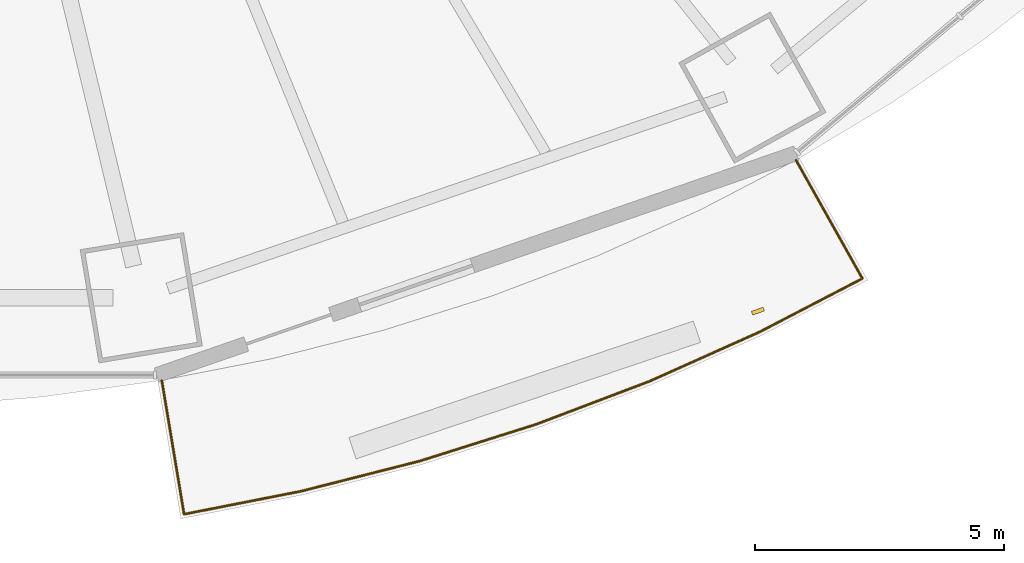
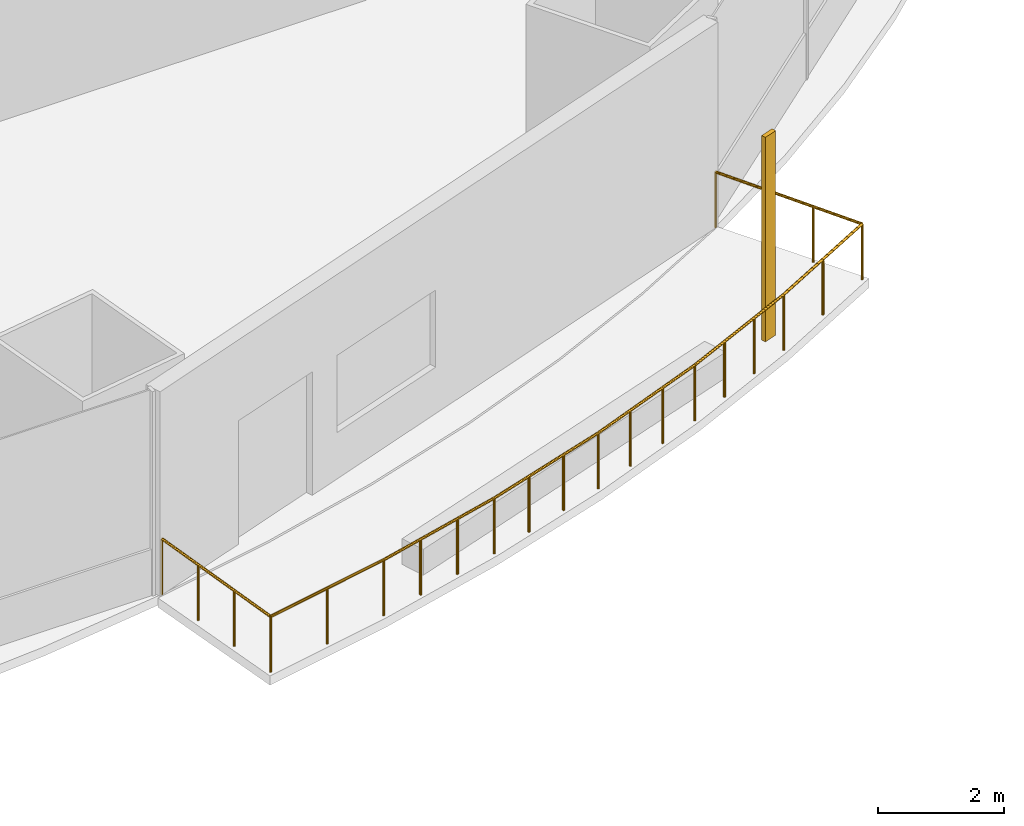
# One storey, part 18 of 22: 1 railing, 1 shading device.
"""IFC4 building model written with IfcOpenShell, lengths in metres."""

from ifc_helpers import new_model, si_unit, direction, frame, origin, origin_2d, place, context, subcontext, project, spatial, rectangle, circle, extrude, material, material_profile, profile_set, type_object, element, save


model = new_model("IFC4")

# Units and contexts
model_context = context("Model", 3, precision=1e-05, world=origin(), true_north=direction((0.0, 1.0)))
body_context = subcontext(model_context, "Body", "Model", "MODEL_VIEW")
ifc_project = project(units=[si_unit("LENGTHUNIT", "METRE"), si_unit("AREAUNIT", "SQUARE_METRE"), si_unit("VOLUMEUNIT", "CUBIC_METRE"), si_unit("PLANEANGLEUNIT", "RADIAN"), si_unit("MASSUNIT", "GRAM", prefix="KILO")], contexts=[model_context])

# Site, building, storey
site_placement = place(None, origin())
site = spatial("IfcSite", under=ifc_project, at=site_placement, CompositionType="ELEMENT")
building_placement = place(site_placement, origin())
building = spatial("IfcBuilding", under=site, at=building_placement, Name="Marenthal Gate Tower", CompositionType="ELEMENT")
storey_placement = place(building_placement, frame((0.0, 0.0, 70.35009765625)))
storey = spatial("IfcBuildingStorey", under=building, at=storey_placement, Name="L13", CompositionType="ELEMENT", Elevation=70.35009765625)

# Railing
ifc_material_1 = material(Name="Stainless steel", Category="steel")
railing_type = type_object("IfcRailingType", Name="Balcony guard 1100", PredefinedType="GUARDRAIL", material=ifc_material_1)
railing_placement = place(storey_placement, frame((19.7490234375, -24.9033203125, 0.0)))
element("IfcRailing", 1, at=railing_placement, inside=storey, type_object=railing_type, Name="Balcony guard L13 bay 13", PredefinedType="GUARDRAIL", context=body_context, shape_type="SweptSolid", body=[
    extrude(circle(Radius=0.02392578125, at=origin_2d()), frame((0.0, 0.0, 1.076171875), z_axis=(0.488916588254, -0.872206373208, -0.014717753391), x_axis=(0.872300853857, 0.488969549523, 0.0)), (0.0, 0.0, 1.0), 2.720458984375),
    extrude(circle(Radius=0.02392578125, at=origin_2d()), frame((1.330078125, -2.372802734375, 1.0361328125), z_axis=(-0.887259903965, -0.461269837314, 0.0), x_axis=(0.461269837314, -0.887259903965, 0.0)), (0.0, 0.0, 1.0), 2.318359375),
    extrude(circle(Radius=0.02392578125, at=origin_2d()), frame((-0.726806640625, -3.442138671875, 1.0361328125), z_axis=(-0.91254444095, -0.408977558419, 0.0), x_axis=(0.408977558419, -0.91254444095, 0.0)), (0.0, 0.0, 1.0), 2.415771484375),
    extrude(circle(Radius=0.02392578125, at=origin_2d()), frame((-2.931396484375, -4.43017578125, 1.0361328125), z_axis=(-0.934822913626, -0.355114235366, 0.0), x_axis=(0.355114235366, -0.934822913626, 0.0)), (0.0, 0.0, 1.0), 2.431640625),
    extrude(circle(Radius=0.02392578125, at=origin_2d()), frame((-5.20458984375, -5.293701171875, 1.0361328125), z_axis=(-0.953650519342, -0.300916411912, 0.0), x_axis=(0.300916411912, -0.953650519342, 0.0)), (0.0, 0.0, 1.0), 2.446044921875),
    extrude(circle(Radius=0.02392578125, at=origin_2d()), frame((-7.537353515625, -6.02978515625, 1.0361328125), z_axis=(-0.969164913017, -0.246413009756, 0.0), x_axis=(0.246413009756, -0.969164913017, 0.0)), (0.0, 0.0, 1.0), 2.4580078125),
    extrude(circle(Radius=0.02392578125, at=origin_2d()), frame((-9.919677734375, -6.635498046875, 1.0361328125), z_axis=(-0.981255035118, -0.192713663388, 0.0), x_axis=(0.192713663388, -0.981255035118, 0.0)), (0.0, 0.0, 1.0), 2.387939453125),
    extrude(circle(Radius=0.02392578125, at=origin_2d()), frame((-12.262939453125, -7.095703125, 1.0361328125), z_axis=(-0.164599482451, 0.986250661205, 0.014718819587), x_axis=(-0.986357511038, -0.164617315064, 0.0)), (0.0, 0.0, 1.0), 2.72021484375),
    extrude(circle(Radius=0.02099609375, at=origin_2d()), origin(), (0.0, 0.0, 1.0), 1.052001953125),
    extrude(circle(Radius=0.02099609375, at=origin_2d()), frame((0.443359375, -0.791015625, -0.013427734375)), (0.0, 0.0, 1.0), 1.052001953125),
    extrude(circle(Radius=0.02099609375, at=origin_2d()), frame((0.88671875, -1.581787109375, -0.026611328125)), (0.0, 0.0, 1.0), 1.052001953125),
    extrude(circle(Radius=0.02099609375, at=origin_2d()), frame((1.330078125, -2.372802734375, -0.0400390625)), (0.0, 0.0, 1.0), 1.052001953125),
    extrude(circle(Radius=0.02099609375, at=origin_2d()), frame((0.3017578125, -2.907470703125, -0.0400390625)), (0.0, 0.0, 1.0), 1.052001953125),
    extrude(circle(Radius=0.02099609375, at=origin_2d()), frame((-0.726806640625, -3.442138671875, -0.0400390625)), (0.0, 0.0, 1.0), 1.052001953125),
    extrude(circle(Radius=0.02099609375, at=origin_2d()), frame((-1.461669921875, -3.771484375, -0.0400390625)), (0.0, 0.0, 1.0), 1.052001953125),
    extrude(circle(Radius=0.02099609375, at=origin_2d()), frame((-2.196533203125, -4.100830078125, -0.0400390625)), (0.0, 0.0, 1.0), 1.052001953125),
    extrude(circle(Radius=0.02099609375, at=origin_2d()), frame((-2.931396484375, -4.43017578125, -0.0400390625)), (0.0, 0.0, 1.0), 1.052001953125),
    extrude(circle(Radius=0.02099609375, at=origin_2d()), frame((-3.689208984375, -4.718017578125, -0.0400390625)), (0.0, 0.0, 1.0), 1.052001953125),
    extrude(circle(Radius=0.02099609375, at=origin_2d()), frame((-4.44677734375, -5.005859375, -0.0400390625)), (0.0, 0.0, 1.0), 1.052001953125),
    extrude(circle(Radius=0.02099609375, at=origin_2d()), frame((-5.20458984375, -5.293701171875, -0.0400390625)), (0.0, 0.0, 1.0), 1.052001953125),
    extrude(circle(Radius=0.02099609375, at=origin_2d()), frame((-5.982177734375, -5.5390625, -0.0400390625)), (0.0, 0.0, 1.0), 1.052001953125),
    extrude(circle(Radius=0.02099609375, at=origin_2d()), frame((-6.759765625, -5.784423828125, -0.0400390625)), (0.0, 0.0, 1.0), 1.052001953125),
    extrude(circle(Radius=0.02099609375, at=origin_2d()), frame((-7.537353515625, -6.02978515625, -0.0400390625)), (0.0, 0.0, 1.0), 1.052001953125),
    extrude(circle(Radius=0.02099609375, at=origin_2d()), frame((-8.33154296875, -6.231689453125, -0.0400390625)), (0.0, 0.0, 1.0), 1.052001953125),
    extrude(circle(Radius=0.02099609375, at=origin_2d()), frame((-9.12548828125, -6.43359375, -0.0400390625)), (0.0, 0.0, 1.0), 1.052001953125),
    extrude(circle(Radius=0.02099609375, at=origin_2d()), frame((-9.919677734375, -6.635498046875, -0.0400390625)), (0.0, 0.0, 1.0), 1.052001953125),
    extrude(circle(Radius=0.02099609375, at=origin_2d()), frame((-11.09130859375, -6.86572265625, -0.0400390625)), (0.0, 0.0, 1.0), 1.052001953125),
    extrude(circle(Radius=0.02099609375, at=origin_2d()), frame((-12.262939453125, -7.095703125, -0.0400390625)), (0.0, 0.0, 1.0), 1.052001953125),
    extrude(circle(Radius=0.02099609375, at=origin_2d()), frame((-12.412109375, -6.201416015625, -0.026611328125)), (0.0, 0.0, 1.0), 1.052001953125),
    extrude(circle(Radius=0.02099609375, at=origin_2d()), frame((-12.5615234375, -5.30712890625, -0.013427734375)), (0.0, 0.0, 1.0), 1.052001953125),
    extrude(circle(Radius=0.02099609375, at=origin_2d()), frame((-12.710693359375, -4.412841796875, 0.0)), (0.0, 0.0, 1.0), 1.052001953125),
])

# Shading device
ifc_material_2 = material(Name="Terracotta", Category="masonry")
ifc_material_profile = material_profile(ifc_material_2, rectangle(XDim=0.25, YDim=0.080078125, at=origin_2d()), Name="Terracotta baguette 250x80")
ifc_profile_set = profile_set([ifc_material_profile], Name="Terracotta")
shading_device_type = type_object("IfcShadingDeviceType", Name="Terracotta BAGUETTE SCREEN 250x80", PredefinedType="USERDEFINED", material=ifc_profile_set)
shading_device_placement = place(storey_placement, frame((18.984375, -27.93017578125, -0.0400390625), z_axis=(0.0, 0.0, 1.0), x_axis=(0.944656596613, 0.328060839595, 0.0)))
element("IfcShadingDevice", 2, at=shading_device_placement, inside=storey, type_object=shading_device_type, Name="Terracotta BAGUETTE L13 bay 13R", ObjectType="BAGUETTE SCREEN", PredefinedType="USERDEFINED", context=body_context, shape_type="SweptSolid", body=[
    extrude(rectangle(XDim=0.25, YDim=0.080078125, at=origin_2d()), origin(), (0.0, 0.0, 1.0), 3.969970703125),
])

save(model, "model.ifc")
